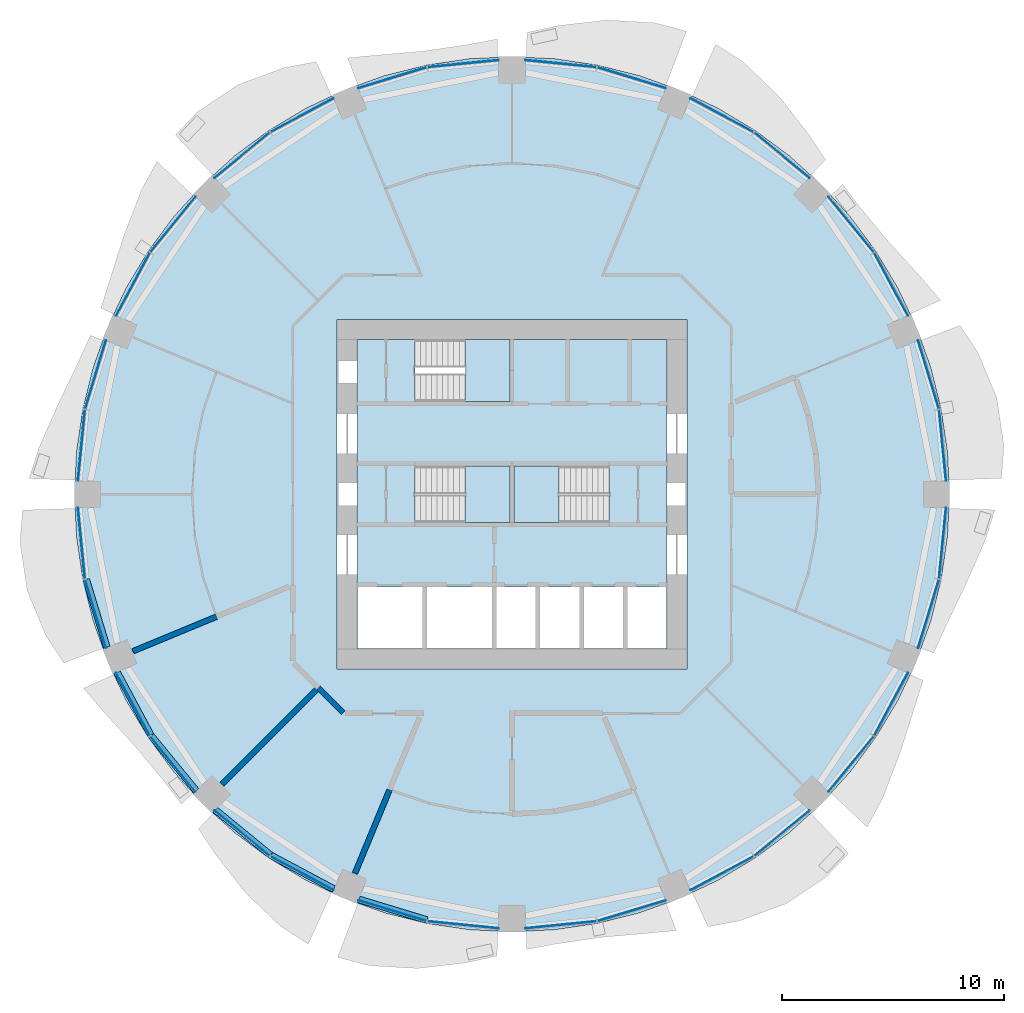
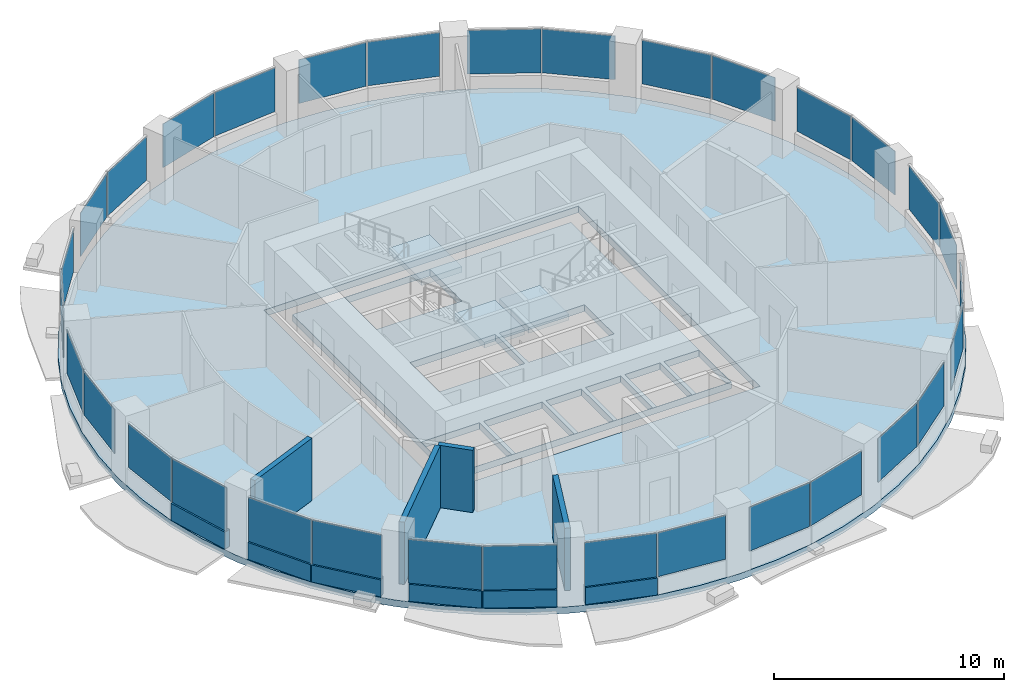
# One storey, part 7 of 15: 32 plates, 10 walls, 5 slabs, 19 elements without a shape of their own.
"""IFC4 building model written with IfcOpenShell, lengths in metres."""

from ifc_helpers import new_model, si_unit, direction, frame, frame_2d, origin, origin_2d, place, context, subcontext, project, spatial, polyline, rectangle, outline, extrude, material, layer, layer_set, type_object, element, aggregate, save


model = new_model("IFC4")

# Units and contexts
model_context = context("Model", 3, precision=1e-05, world=origin(), true_north=direction((0.0, 1.0)))
body_context = subcontext(model_context, "Body", "Model", "MODEL_VIEW")
ifc_project = project(units=[si_unit("LENGTHUNIT", "METRE"), si_unit("AREAUNIT", "SQUARE_METRE"), si_unit("VOLUMEUNIT", "CUBIC_METRE"), si_unit("PLANEANGLEUNIT", "RADIAN"), si_unit("MASSUNIT", "GRAM", prefix="KILO")], contexts=[model_context])

# Site, building, storey
site_placement = place(None, origin())
site = spatial("IfcSite", under=ifc_project, at=site_placement, CompositionType="ELEMENT")
building_placement = place(site_placement, origin())
building = spatial("IfcBuilding", under=site, at=building_placement, Name="Polderwave Tower", CompositionType="ELEMENT")
storey_placement = place(building_placement, frame((0.0, 0.0, 40.800048828125)))
storey = spatial("IfcBuildingStorey", under=building, at=storey_placement, Name="L10", CompositionType="ELEMENT", Elevation=40.800048828125)

# Slab
ifc_material_1 = material(Name="Concrete C40/50", Category="concrete")
ifc_layer_1 = layer(ifc_material_1, 0.35009765625)
ifc_layer_set_1 = layer_set([ifc_layer_1], Name="Core floor slab 350")
slab_type_1 = type_object("IfcSlabType", Name="Core floor slab 350", PredefinedType="FLOOR", material=ifc_layer_set_1)
slab_1_placement = place(storey_placement, frame((0.0, 0.0, -0.35009765625)))
element("IfcSlab", 1, at=slab_1_placement, inside=storey, type_object=slab_type_1, Name="L10 core floor", PredefinedType="FLOOR", context=body_context, shape_type="SweptSolid", body=[
    extrude(outline(polyline([(-6.97412109375, -6.97412109375), (6.97412109375, -6.97412109375), (6.97412109375, 6.97412109375), (-6.97412109375, 6.97412109375), (-6.97412109375, -6.97412109375)]), holes=[polyline([(-6.9541015625, -6.9541015625), (-4.037109375, -6.9541015625), (-4.037109375, -4.174072265625), (-6.9541015625, -4.174072265625), (-6.9541015625, -6.9541015625)]), polyline([(-3.8369140625, -6.9541015625), (-0.89990234375, -6.9541015625), (-0.89990234375, -4.174072265625), (-3.8369140625, -4.174072265625), (-3.8369140625, -6.9541015625)]), polyline([(-0.699951171875, -6.9541015625), (1.068603515625, -6.9541015625), (1.068603515625, -4.174072265625), (-0.699951171875, -4.174072265625), (-0.699951171875, -6.9541015625)]), polyline([(1.2685546875, -6.9541015625), (3.037109375, -6.9541015625), (3.037109375, -4.174072265625), (1.2685546875, -4.174072265625), (1.2685546875, -6.9541015625)]), polyline([(3.237060546875, -6.9541015625), (5.005615234375, -6.9541015625), (5.005615234375, -4.174072265625), (3.237060546875, -4.174072265625), (3.237060546875, -6.9541015625)]), polyline([(5.20556640625, -6.9541015625), (6.9541015625, -6.9541015625), (6.9541015625, -4.174072265625), (5.20556640625, -4.174072265625), (5.20556640625, -6.9541015625)]), polyline([(-4.37353515625, -1.2744140625), (-0.1005859375, -1.2744140625), (-0.1005859375, 1.2744140625), (-4.37353515625, 1.2744140625), (-4.37353515625, -1.2744140625)]), polyline([(0.1005859375, -1.2744140625), (4.37353515625, -1.2744140625), (4.37353515625, 1.2744140625), (0.1005859375, 1.2744140625), (0.1005859375, -1.2744140625)]), polyline([(-4.37353515625, 4.174560546875), (-0.1005859375, 4.174560546875), (-0.1005859375, 6.9541015625), (-4.37353515625, 6.9541015625), (-4.37353515625, 4.174560546875)])]), origin(), (0.0, 0.0, 1.0), 0.35009765625),
])

# Curtain wall, plates
ifc_material_2 = material(Name="Aluminium 6063-T6 and glass", Category="aluminium")
curtain_wall_type = type_object("IfcCurtainWallType", Name="Growing floor ribbon glazing wall", PredefinedType="NOTDEFINED", material=ifc_material_2)
curtain_wall_1_placement = place(storey_placement, origin())
curtain_wall_1 = element("IfcCurtainWall", 2, at=curtain_wall_1_placement, inside=storey, type_object=curtain_wall_type, Name="CW2 L10 00", PredefinedType="NOTDEFINED")
ifc_material_3 = material(Name="Glass, low-e laminated double glazing", Category="glass")
ifc_layer_2 = layer(ifc_material_3, 0.028076171875)
ifc_layer_set_2 = layer_set([ifc_layer_2], Name="Growing floor ribbon glazing glass panel 28 mm")
plate_type = type_object("IfcPlateType", Name="Growing floor ribbon glazing glass panel 28 mm", PredefinedType="CURTAIN_PANEL", material=ifc_layer_set_2)
plate_1_placement = place(storey_placement, frame((19.3935546875, 2.197998046875, 0.89990234375), z_axis=(0.0, 0.0, 1.0), x_axis=(-0.098098775475, 0.995176682931, 0.0)))
plate_1 = element("IfcPlate", 3, at=plate_1_placement, type_object=plate_type, Name="CW2 panel 1", PredefinedType="CURTAIN_PANEL", context=body_context, shape_type="SweptSolid", body=[
    extrude(rectangle(XDim=3.211669921875, YDim=0.028076171875, at=origin_2d()), origin(), (0.0, 0.0, 1.0), 2.320068359375),
])
plate_2_placement = place(storey_placement, frame((18.758056640625, 5.390869140625, 0.89990234375), z_axis=(0.0, 0.0, 1.0), x_axis=(-0.290374865467, 0.956912972796, 0.0)))
plate_2 = element("IfcPlate", 4, at=plate_2_placement, type_object=plate_type, Name="CW2 panel 2", PredefinedType="CURTAIN_PANEL", context=body_context, shape_type="SweptSolid", body=[
    extrude(rectangle(XDim=3.210693359375, YDim=0.028076171875, at=origin_2d()), origin(), (0.0, 0.0, 1.0), 2.320068359375),
])
aggregate(curtain_wall_1, [plate_1, plate_2])

curtain_wall_2_placement = place(storey_placement, origin())
curtain_wall_2 = element("IfcCurtainWall", 5, at=curtain_wall_2_placement, inside=storey, type_object=curtain_wall_type, Name="CW2 L10 01", PredefinedType="NOTDEFINED")
plate_3_placement = place(storey_placement, frame((17.076171875, 9.452392578125, 0.89990234375), z_axis=(0.0, 0.0, 1.0), x_axis=(-0.471356716023, 0.881942654746, 0.0)))
plate_3 = element("IfcPlate", 6, at=plate_3_placement, type_object=plate_type, Name="CW2 panel 1", PredefinedType="CURTAIN_PANEL", context=body_context, shape_type="SweptSolid", body=[
    extrude(rectangle(XDim=3.211669921875, YDim=0.028076171875, at=origin_2d()), origin(), (0.0, 0.0, 1.0), 2.320068359375),
])
plate_4_placement = place(storey_placement, frame((15.267578125, 12.1591796875, 0.89990234375), z_axis=(0.0, 0.0, 1.0), x_axis=(-0.634429710719, 0.772980557425, 0.0)))
plate_4 = element("IfcPlate", 7, at=plate_4_placement, type_object=plate_type, Name="CW2 panel 2", PredefinedType="CURTAIN_PANEL", context=body_context, shape_type="SweptSolid", body=[
    extrude(rectangle(XDim=3.210693359375, YDim=0.028076171875, at=origin_2d()), origin(), (0.0, 0.0, 1.0), 2.320068359375),
])
aggregate(curtain_wall_2, [plate_3, plate_4])

curtain_wall_3_placement = place(storey_placement, origin())
curtain_wall_3 = element("IfcCurtainWall", 8, at=curtain_wall_3_placement, inside=storey, type_object=curtain_wall_type, Name="CW2 L10 02", PredefinedType="NOTDEFINED")
plate_5_placement = place(storey_placement, frame((12.1591796875, 15.267578125, 0.89990234375), z_axis=(0.0, 0.0, 1.0), x_axis=(-0.772980557425, 0.634429710719, 0.0)))
plate_5 = element("IfcPlate", 9, at=plate_5_placement, type_object=plate_type, Name="CW2 panel 1", PredefinedType="CURTAIN_PANEL", context=body_context, shape_type="SweptSolid", body=[
    extrude(rectangle(XDim=3.210693359375, YDim=0.028076171875, at=origin_2d()), origin(), (0.0, 0.0, 1.0), 2.320068359375),
])
plate_6_placement = place(storey_placement, frame((9.452392578125, 17.076171875, 0.89990234375), z_axis=(0.0, 0.0, 1.0), x_axis=(-0.881942654746, 0.471356716023, 0.0)))
plate_6 = element("IfcPlate", 10, at=plate_6_placement, type_object=plate_type, Name="CW2 panel 2", PredefinedType="CURTAIN_PANEL", context=body_context, shape_type="SweptSolid", body=[
    extrude(rectangle(XDim=3.211669921875, YDim=0.028076171875, at=origin_2d()), origin(), (0.0, 0.0, 1.0), 2.320068359375),
])
aggregate(curtain_wall_3, [plate_5, plate_6])

curtain_wall_4_placement = place(storey_placement, origin())
curtain_wall_4 = element("IfcCurtainWall", 11, at=curtain_wall_4_placement, inside=storey, type_object=curtain_wall_type, Name="CW2 L10 03", PredefinedType="NOTDEFINED")
plate_7_placement = place(storey_placement, frame((5.390869140625, 18.758056640625, 0.89990234375), z_axis=(0.0, 0.0, 1.0), x_axis=(-0.956912972796, 0.290374865467, 0.0)))
plate_7 = element("IfcPlate", 12, at=plate_7_placement, type_object=plate_type, Name="CW2 panel 1", PredefinedType="CURTAIN_PANEL", context=body_context, shape_type="SweptSolid", body=[
    extrude(rectangle(XDim=3.210693359375, YDim=0.028076171875, at=origin_2d()), origin(), (0.0, 0.0, 1.0), 2.320068359375),
])
plate_8_placement = place(storey_placement, frame((2.197998046875, 19.3935546875, 0.89990234375), z_axis=(0.0, 0.0, 1.0), x_axis=(-0.995176682931, 0.098098775475, 0.0)))
plate_8 = element("IfcPlate", 13, at=plate_8_placement, type_object=plate_type, Name="CW2 panel 2", PredefinedType="CURTAIN_PANEL", context=body_context, shape_type="SweptSolid", body=[
    extrude(rectangle(XDim=3.211669921875, YDim=0.028076171875, at=origin_2d()), origin(), (0.0, 0.0, 1.0), 2.320068359375),
])
aggregate(curtain_wall_4, [plate_7, plate_8])

curtain_wall_5_placement = place(storey_placement, origin())
curtain_wall_5 = element("IfcCurtainWall", 14, at=curtain_wall_5_placement, inside=storey, type_object=curtain_wall_type, Name="CW2 L10 04", PredefinedType="NOTDEFINED")
plate_9_placement = place(storey_placement, frame((-2.197998046875, 19.3935546875, 0.89990234375), z_axis=(0.0, 0.0, 1.0), x_axis=(-0.995176682931, -0.098098775475, 0.0)))
plate_9 = element("IfcPlate", 15, at=plate_9_placement, type_object=plate_type, Name="CW2 panel 1", PredefinedType="CURTAIN_PANEL", context=body_context, shape_type="SweptSolid", body=[
    extrude(rectangle(XDim=3.211669921875, YDim=0.028076171875, at=origin_2d()), origin(), (0.0, 0.0, 1.0), 2.320068359375),
])
plate_10_placement = place(storey_placement, frame((-5.390869140625, 18.758056640625, 0.89990234375), z_axis=(0.0, 0.0, 1.0), x_axis=(-0.956912972796, -0.290374865467, 0.0)))
plate_10 = element("IfcPlate", 16, at=plate_10_placement, type_object=plate_type, Name="CW2 panel 2", PredefinedType="CURTAIN_PANEL", context=body_context, shape_type="SweptSolid", body=[
    extrude(rectangle(XDim=3.210693359375, YDim=0.028076171875, at=origin_2d()), origin(), (0.0, 0.0, 1.0), 2.320068359375),
])
aggregate(curtain_wall_5, [plate_9, plate_10])

curtain_wall_6_placement = place(storey_placement, origin())
curtain_wall_6 = element("IfcCurtainWall", 17, at=curtain_wall_6_placement, inside=storey, type_object=curtain_wall_type, Name="CW2 L10 05", PredefinedType="NOTDEFINED")
plate_11_placement = place(storey_placement, frame((-9.452392578125, 17.076171875, 0.89990234375), z_axis=(0.0, 0.0, 1.0), x_axis=(-0.881942654746, -0.471356716023, 0.0)))
plate_11 = element("IfcPlate", 18, at=plate_11_placement, type_object=plate_type, Name="CW2 panel 1", PredefinedType="CURTAIN_PANEL", context=body_context, shape_type="SweptSolid", body=[
    extrude(rectangle(XDim=3.211669921875, YDim=0.028076171875, at=origin_2d()), origin(), (0.0, 0.0, 1.0), 2.320068359375),
])
plate_12_placement = place(storey_placement, frame((-12.1591796875, 15.267578125, 0.89990234375), z_axis=(0.0, 0.0, 1.0), x_axis=(-0.772980557425, -0.634429710719, 0.0)))
plate_12 = element("IfcPlate", 19, at=plate_12_placement, type_object=plate_type, Name="CW2 panel 2", PredefinedType="CURTAIN_PANEL", context=body_context, shape_type="SweptSolid", body=[
    extrude(rectangle(XDim=3.210693359375, YDim=0.028076171875, at=origin_2d()), origin(), (0.0, 0.0, 1.0), 2.320068359375),
])
aggregate(curtain_wall_6, [plate_11, plate_12])

curtain_wall_7_placement = place(storey_placement, origin())
curtain_wall_7 = element("IfcCurtainWall", 20, at=curtain_wall_7_placement, inside=storey, type_object=curtain_wall_type, Name="CW2 L10 06", PredefinedType="NOTDEFINED")
plate_13_placement = place(storey_placement, frame((-15.267578125, 12.1591796875, 0.89990234375), z_axis=(0.0, 0.0, 1.0), x_axis=(-0.634429710719, -0.772980557425, 0.0)))
plate_13 = element("IfcPlate", 21, at=plate_13_placement, type_object=plate_type, Name="CW2 panel 1", PredefinedType="CURTAIN_PANEL", context=body_context, shape_type="SweptSolid", body=[
    extrude(rectangle(XDim=3.210693359375, YDim=0.028076171875, at=origin_2d()), origin(), (0.0, 0.0, 1.0), 2.320068359375),
])
plate_14_placement = place(storey_placement, frame((-17.076171875, 9.452392578125, 0.89990234375), z_axis=(0.0, 0.0, 1.0), x_axis=(-0.471356716023, -0.881942654746, 0.0)))
plate_14 = element("IfcPlate", 22, at=plate_14_placement, type_object=plate_type, Name="CW2 panel 2", PredefinedType="CURTAIN_PANEL", context=body_context, shape_type="SweptSolid", body=[
    extrude(rectangle(XDim=3.211669921875, YDim=0.028076171875, at=origin_2d()), origin(), (0.0, 0.0, 1.0), 2.320068359375),
])
aggregate(curtain_wall_7, [plate_13, plate_14])

curtain_wall_8_placement = place(storey_placement, origin())
curtain_wall_8 = element("IfcCurtainWall", 23, at=curtain_wall_8_placement, inside=storey, type_object=curtain_wall_type, Name="CW2 L10 07", PredefinedType="NOTDEFINED")
plate_15_placement = place(storey_placement, frame((-18.758056640625, 5.390869140625, 0.89990234375), z_axis=(0.0, 0.0, 1.0), x_axis=(-0.290374865467, -0.956912972796, 0.0)))
plate_15 = element("IfcPlate", 24, at=plate_15_placement, type_object=plate_type, Name="CW2 panel 1", PredefinedType="CURTAIN_PANEL", context=body_context, shape_type="SweptSolid", body=[
    extrude(rectangle(XDim=3.210693359375, YDim=0.028076171875, at=origin_2d()), origin(), (0.0, 0.0, 1.0), 2.320068359375),
])
plate_16_placement = place(storey_placement, frame((-19.3935546875, 2.197998046875, 0.89990234375), z_axis=(0.0, 0.0, 1.0), x_axis=(-0.098098775475, -0.995176682931, 0.0)))
plate_16 = element("IfcPlate", 25, at=plate_16_placement, type_object=plate_type, Name="CW2 panel 2", PredefinedType="CURTAIN_PANEL", context=body_context, shape_type="SweptSolid", body=[
    extrude(rectangle(XDim=3.211669921875, YDim=0.028076171875, at=origin_2d()), origin(), (0.0, 0.0, 1.0), 2.320068359375),
])
aggregate(curtain_wall_8, [plate_15, plate_16])

curtain_wall_9_placement = place(storey_placement, origin())
curtain_wall_9 = element("IfcCurtainWall", 26, at=curtain_wall_9_placement, inside=storey, type_object=curtain_wall_type, Name="CW2 L10 08", PredefinedType="NOTDEFINED")
plate_17_placement = place(storey_placement, frame((-19.3935546875, -2.197998046875, 0.89990234375), z_axis=(0.0, 0.0, 1.0), x_axis=(0.098098775475, -0.995176682931, 0.0)))
plate_17 = element("IfcPlate", 27, at=plate_17_placement, type_object=plate_type, Name="CW2 panel 1", PredefinedType="CURTAIN_PANEL", context=body_context, shape_type="SweptSolid", body=[
    extrude(rectangle(XDim=3.211669921875, YDim=0.028076171875, at=origin_2d()), origin(), (0.0, 0.0, 1.0), 2.320068359375),
])
plate_18_placement = place(storey_placement, frame((-18.758056640625, -5.390869140625, 0.89990234375), z_axis=(0.0, 0.0, 1.0), x_axis=(0.290374865467, -0.956912972796, 0.0)))
plate_18 = element("IfcPlate", 28, at=plate_18_placement, type_object=plate_type, Name="CW2 panel 2", PredefinedType="CURTAIN_PANEL", context=body_context, shape_type="SweptSolid", body=[
    extrude(rectangle(XDim=3.210693359375, YDim=0.028076171875, at=origin_2d()), origin(), (0.0, 0.0, 1.0), 2.320068359375),
])
aggregate(curtain_wall_9, [plate_17, plate_18])

curtain_wall_10_placement = place(storey_placement, origin())
curtain_wall_10 = element("IfcCurtainWall", 29, at=curtain_wall_10_placement, inside=storey, type_object=curtain_wall_type, Name="CW2 L10 09", PredefinedType="NOTDEFINED")
plate_19_placement = place(storey_placement, frame((-17.076171875, -9.452392578125, 0.89990234375), z_axis=(0.0, 0.0, 1.0), x_axis=(0.471356716023, -0.881942654746, 0.0)))
plate_19 = element("IfcPlate", 30, at=plate_19_placement, type_object=plate_type, Name="CW2 panel 1", PredefinedType="CURTAIN_PANEL", context=body_context, shape_type="SweptSolid", body=[
    extrude(rectangle(XDim=3.211669921875, YDim=0.028076171875, at=origin_2d()), origin(), (0.0, 0.0, 1.0), 2.320068359375),
])
plate_20_placement = place(storey_placement, frame((-15.267578125, -12.1591796875, 0.89990234375), z_axis=(0.0, 0.0, 1.0), x_axis=(0.634429710719, -0.772980557425, 0.0)))
plate_20 = element("IfcPlate", 31, at=plate_20_placement, type_object=plate_type, Name="CW2 panel 2", PredefinedType="CURTAIN_PANEL", context=body_context, shape_type="SweptSolid", body=[
    extrude(rectangle(XDim=3.210693359375, YDim=0.028076171875, at=origin_2d()), origin(), (0.0, 0.0, 1.0), 2.320068359375),
])
aggregate(curtain_wall_10, [plate_19, plate_20])

curtain_wall_11_placement = place(storey_placement, origin())
curtain_wall_11 = element("IfcCurtainWall", 32, at=curtain_wall_11_placement, inside=storey, type_object=curtain_wall_type, Name="CW2 L10 10", PredefinedType="NOTDEFINED")
plate_21_placement = place(storey_placement, frame((-12.1591796875, -15.267578125, 0.89990234375), z_axis=(0.0, 0.0, 1.0), x_axis=(0.772980557425, -0.634429710719, 0.0)))
plate_21 = element("IfcPlate", 33, at=plate_21_placement, type_object=plate_type, Name="CW2 panel 1", PredefinedType="CURTAIN_PANEL", context=body_context, shape_type="SweptSolid", body=[
    extrude(rectangle(XDim=3.210693359375, YDim=0.028076171875, at=origin_2d()), origin(), (0.0, 0.0, 1.0), 2.320068359375),
])
plate_22_placement = place(storey_placement, frame((-9.452392578125, -17.076171875, 0.89990234375), z_axis=(0.0, 0.0, 1.0), x_axis=(0.881942654746, -0.471356716023, 0.0)))
plate_22 = element("IfcPlate", 34, at=plate_22_placement, type_object=plate_type, Name="CW2 panel 2", PredefinedType="CURTAIN_PANEL", context=body_context, shape_type="SweptSolid", body=[
    extrude(rectangle(XDim=3.211669921875, YDim=0.028076171875, at=origin_2d()), origin(), (0.0, 0.0, 1.0), 2.320068359375),
])
aggregate(curtain_wall_11, [plate_21, plate_22])

curtain_wall_12_placement = place(storey_placement, origin())
curtain_wall_12 = element("IfcCurtainWall", 35, at=curtain_wall_12_placement, inside=storey, type_object=curtain_wall_type, Name="CW2 L10 11", PredefinedType="NOTDEFINED")
plate_23_placement = place(storey_placement, frame((-5.390869140625, -18.758056640625, 0.89990234375), z_axis=(0.0, 0.0, 1.0), x_axis=(0.956912972796, -0.290374865467, 0.0)))
plate_23 = element("IfcPlate", 36, at=plate_23_placement, type_object=plate_type, Name="CW2 panel 1", PredefinedType="CURTAIN_PANEL", context=body_context, shape_type="SweptSolid", body=[
    extrude(rectangle(XDim=3.210693359375, YDim=0.028076171875, at=origin_2d()), origin(), (0.0, 0.0, 1.0), 2.320068359375),
])
plate_24_placement = place(storey_placement, frame((-2.197998046875, -19.3935546875, 0.89990234375), z_axis=(0.0, 0.0, 1.0), x_axis=(0.995176682931, -0.098098775475, 0.0)))
plate_24 = element("IfcPlate", 37, at=plate_24_placement, type_object=plate_type, Name="CW2 panel 2", PredefinedType="CURTAIN_PANEL", context=body_context, shape_type="SweptSolid", body=[
    extrude(rectangle(XDim=3.211669921875, YDim=0.028076171875, at=origin_2d()), origin(), (0.0, 0.0, 1.0), 2.320068359375),
])
aggregate(curtain_wall_12, [plate_23, plate_24])

curtain_wall_13_placement = place(storey_placement, origin())
curtain_wall_13 = element("IfcCurtainWall", 38, at=curtain_wall_13_placement, inside=storey, type_object=curtain_wall_type, Name="CW2 L10 12", PredefinedType="NOTDEFINED")
plate_25_placement = place(storey_placement, frame((2.197998046875, -19.3935546875, 0.89990234375), z_axis=(0.0, 0.0, 1.0), x_axis=(0.995176682931, 0.098098775475, 0.0)))
plate_25 = element("IfcPlate", 39, at=plate_25_placement, type_object=plate_type, Name="CW2 panel 1", PredefinedType="CURTAIN_PANEL", context=body_context, shape_type="SweptSolid", body=[
    extrude(rectangle(XDim=3.211669921875, YDim=0.028076171875, at=origin_2d()), origin(), (0.0, 0.0, 1.0), 2.320068359375),
])
plate_26_placement = place(storey_placement, frame((5.390869140625, -18.758056640625, 0.89990234375), z_axis=(0.0, 0.0, 1.0), x_axis=(0.956912972796, 0.290374865467, 0.0)))
plate_26 = element("IfcPlate", 40, at=plate_26_placement, type_object=plate_type, Name="CW2 panel 2", PredefinedType="CURTAIN_PANEL", context=body_context, shape_type="SweptSolid", body=[
    extrude(rectangle(XDim=3.210693359375, YDim=0.028076171875, at=origin_2d()), origin(), (0.0, 0.0, 1.0), 2.320068359375),
])
aggregate(curtain_wall_13, [plate_25, plate_26])

curtain_wall_14_placement = place(storey_placement, origin())
curtain_wall_14 = element("IfcCurtainWall", 41, at=curtain_wall_14_placement, inside=storey, type_object=curtain_wall_type, Name="CW2 L10 13", PredefinedType="NOTDEFINED")
plate_27_placement = place(storey_placement, frame((9.452392578125, -17.076171875, 0.89990234375), z_axis=(0.0, 0.0, 1.0), x_axis=(0.881942654746, 0.471356716023, 0.0)))
plate_27 = element("IfcPlate", 42, at=plate_27_placement, type_object=plate_type, Name="CW2 panel 1", PredefinedType="CURTAIN_PANEL", context=body_context, shape_type="SweptSolid", body=[
    extrude(rectangle(XDim=3.211669921875, YDim=0.028076171875, at=origin_2d()), origin(), (0.0, 0.0, 1.0), 2.320068359375),
])
plate_28_placement = place(storey_placement, frame((12.1591796875, -15.267578125, 0.89990234375), z_axis=(0.0, 0.0, 1.0), x_axis=(0.772980557425, 0.634429710719, 0.0)))
plate_28 = element("IfcPlate", 43, at=plate_28_placement, type_object=plate_type, Name="CW2 panel 2", PredefinedType="CURTAIN_PANEL", context=body_context, shape_type="SweptSolid", body=[
    extrude(rectangle(XDim=3.210693359375, YDim=0.028076171875, at=origin_2d()), origin(), (0.0, 0.0, 1.0), 2.320068359375),
])
aggregate(curtain_wall_14, [plate_27, plate_28])

curtain_wall_15_placement = place(storey_placement, origin())
curtain_wall_15 = element("IfcCurtainWall", 44, at=curtain_wall_15_placement, inside=storey, type_object=curtain_wall_type, Name="CW2 L10 14", PredefinedType="NOTDEFINED")
plate_29_placement = place(storey_placement, frame((15.267578125, -12.1591796875, 0.89990234375), z_axis=(0.0, 0.0, 1.0), x_axis=(0.634429710719, 0.772980557425, 0.0)))
plate_29 = element("IfcPlate", 45, at=plate_29_placement, type_object=plate_type, Name="CW2 panel 1", PredefinedType="CURTAIN_PANEL", context=body_context, shape_type="SweptSolid", body=[
    extrude(rectangle(XDim=3.210693359375, YDim=0.028076171875, at=origin_2d()), origin(), (0.0, 0.0, 1.0), 2.320068359375),
])
plate_30_placement = place(storey_placement, frame((17.076171875, -9.452392578125, 0.89990234375), z_axis=(0.0, 0.0, 1.0), x_axis=(0.471356716023, 0.881942654746, 0.0)))
plate_30 = element("IfcPlate", 46, at=plate_30_placement, type_object=plate_type, Name="CW2 panel 2", PredefinedType="CURTAIN_PANEL", context=body_context, shape_type="SweptSolid", body=[
    extrude(rectangle(XDim=3.211669921875, YDim=0.028076171875, at=origin_2d()), origin(), (0.0, 0.0, 1.0), 2.320068359375),
])
aggregate(curtain_wall_15, [plate_29, plate_30])

curtain_wall_16_placement = place(storey_placement, origin())
curtain_wall_16 = element("IfcCurtainWall", 47, at=curtain_wall_16_placement, inside=storey, type_object=curtain_wall_type, Name="CW2 L10 15", PredefinedType="NOTDEFINED")
plate_31_placement = place(storey_placement, frame((18.758056640625, -5.390869140625, 0.89990234375), z_axis=(0.0, 0.0, 1.0), x_axis=(0.290374865467, 0.956912972796, 0.0)))
plate_31 = element("IfcPlate", 48, at=plate_31_placement, type_object=plate_type, Name="CW2 panel 1", PredefinedType="CURTAIN_PANEL", context=body_context, shape_type="SweptSolid", body=[
    extrude(rectangle(XDim=3.210693359375, YDim=0.028076171875, at=origin_2d()), origin(), (0.0, 0.0, 1.0), 2.320068359375),
])
plate_32_placement = place(storey_placement, frame((19.3935546875, -2.197998046875, 0.89990234375), z_axis=(0.0, 0.0, 1.0), x_axis=(0.098098775475, 0.995176682931, 0.0)))
plate_32 = element("IfcPlate", 49, at=plate_32_placement, type_object=plate_type, Name="CW2 panel 2", PredefinedType="CURTAIN_PANEL", context=body_context, shape_type="SweptSolid", body=[
    extrude(rectangle(XDim=3.211669921875, YDim=0.028076171875, at=origin_2d()), origin(), (0.0, 0.0, 1.0), 2.320068359375),
])
aggregate(curtain_wall_16, [plate_31, plate_32])

# Slab
ifc_layer_3 = layer(ifc_material_1, 0.35009765625)
ifc_layer_set_3 = layer_set([ifc_layer_3], Name="PT FLOOR SLAB 350 C40/50")
slab_type_2 = type_object("IfcSlabType", Name="PT FLOOR SLAB 350 C40/50", PredefinedType="FLOOR", material=ifc_layer_set_3)
slab_2_placement = place(storey_placement, frame((0.0, 0.0, -0.35009765625)))
element("IfcSlab", 50, at=slab_2_placement, inside=storey, type_object=slab_type_2, Name="ST-SLAB-L10", PredefinedType="FLOOR", context=body_context, shape_type="SweptSolid", body=[
    extrude(outline(polyline([(19.7099609375, 0.0), (19.614990234375, 1.931884765625), (19.331298828125, 3.84521484375), (18.861328125, 5.721435546875), (18.209716796875, 7.542724609375), (17.3828125, 9.291259765625), (16.38818359375, 10.9501953125), (15.236083984375, 12.50390625), (13.93701171875, 13.93701171875), (12.50390625, 15.236083984375), (10.9501953125, 16.38818359375), (9.291259765625, 17.3828125), (7.542724609375, 18.209716796875), (5.721435546875, 18.861328125), (3.84521484375, 19.331298828125), (1.931884765625, 19.614990234375), (0.0, 19.7099609375), (-1.931884765625, 19.614990234375), (-3.84521484375, 19.331298828125), (-5.721435546875, 18.861328125), (-7.542724609375, 18.209716796875), (-9.291259765625, 17.3828125), (-10.9501953125, 16.38818359375), (-12.50390625, 15.236083984375), (-13.93701171875, 13.93701171875), (-15.236083984375, 12.50390625), (-16.38818359375, 10.9501953125), (-17.3828125, 9.291259765625), (-18.209716796875, 7.542724609375), (-18.861328125, 5.721435546875), (-19.331298828125, 3.84521484375), (-19.614990234375, 1.931884765625), (-19.7099609375, 0.0), (-19.614990234375, -1.931884765625), (-19.331298828125, -3.84521484375), (-18.861328125, -5.721435546875), (-18.209716796875, -7.542724609375), (-17.3828125, -9.291259765625), (-16.38818359375, -10.9501953125), (-15.236083984375, -12.50390625), (-13.93701171875, -13.93701171875), (-12.50390625, -15.236083984375), (-10.9501953125, -16.38818359375), (-9.291259765625, -17.3828125), (-7.542724609375, -18.209716796875), (-5.721435546875, -18.861328125), (-3.84521484375, -19.331298828125), (-1.931884765625, -19.614990234375), (0.0, -19.7099609375), (1.931884765625, -19.614990234375), (3.84521484375, -19.331298828125), (5.721435546875, -18.861328125), (7.542724609375, -18.209716796875), (9.291259765625, -17.3828125), (10.9501953125, -16.38818359375), (12.50390625, -15.236083984375), (13.93701171875, -13.93701171875), (15.236083984375, -12.50390625), (16.38818359375, -10.9501953125), (17.3828125, -9.291259765625), (18.209716796875, -7.542724609375), (18.861328125, -5.721435546875), (19.331298828125, -3.84521484375), (19.614990234375, -1.931884765625), (19.7099609375, 0.0)]), holes=[polyline([(-7.8740234375, -7.8740234375), (7.8740234375, -7.8740234375), (7.8740234375, 7.8740234375), (-7.8740234375, 7.8740234375), (-7.8740234375, -7.8740234375)])]), origin(), (0.0, 0.0, 1.0), 0.35009765625),
])

# Stair, slab
stair_type = type_object("IfcStairType", Name="Exit stair 1200 x 20 risers", PredefinedType="HALF_TURN_STAIR", material=ifc_material_1)
stair_1_placement = place(storey_placement, origin())
stair_1 = element("IfcStair", 51, at=stair_1_placement, inside=storey, type_object=stair_type, Name="L10 Exit stair A", PredefinedType="HALF_TURN_STAIR")
ifc_layer_4 = layer(ifc_material_1, 0.300048828125)
ifc_layer_set_4 = layer_set([ifc_layer_4], Name="Stair landing 300")
slab_type_3 = type_object("IfcSlabType", Name="Stair landing 300", PredefinedType="LANDING", material=ifc_layer_set_4)
slab_3_placement = place(storey_placement, frame((0.0, 0.0, 1.52490234375)))
slab_3 = element("IfcSlab", 52, at=slab_3_placement, type_object=slab_type_3, Name="ST-A landing 1", PredefinedType="LANDING", context=body_context, shape_type="SweptSolid", body=[
    extrude(outline(polyline([(-2.1240234375, -1.27490234375), (-0.10009765625, -1.27490234375), (-0.10009765625, 1.27490234375), (-2.1240234375, 1.27490234375), (-2.1240234375, -1.27490234375)])), origin(), (0.0, 0.0, 1.0), 0.300048828125),
])
aggregate(stair_1, [slab_3])

stair_2_placement = place(storey_placement, origin())
stair_2 = element("IfcStair", 53, at=stair_2_placement, inside=storey, type_object=stair_type, Name="L10 Exit stair B", PredefinedType="HALF_TURN_STAIR")
slab_4_placement = place(storey_placement, frame((0.0, 0.0, 1.52490234375)))
slab_4 = element("IfcSlab", 54, at=slab_4_placement, type_object=slab_type_3, Name="ST-B landing 1", PredefinedType="LANDING", context=body_context, shape_type="SweptSolid", body=[
    extrude(outline(polyline([(2.1240234375, 1.27490234375), (0.10009765625, 1.27490234375), (0.10009765625, -1.27490234375), (2.1240234375, -1.27490234375), (2.1240234375, 1.27490234375)])), origin(), (0.0, 0.0, 1.0), 0.300048828125),
])
aggregate(stair_2, [slab_4])

stair_3_placement = place(storey_placement, origin())
stair_3 = element("IfcStair", 55, at=stair_3_placement, inside=storey, type_object=stair_type, Name="L10 Exit stair C", PredefinedType="HALF_TURN_STAIR")
slab_5_placement = place(storey_placement, frame((0.0, 0.0, 1.52490234375)))
slab_5 = element("IfcSlab", 56, at=slab_5_placement, type_object=slab_type_3, Name="ST-C landing 1", PredefinedType="LANDING", context=body_context, shape_type="SweptSolid", body=[
    extrude(outline(polyline([(-2.1240234375, 4.174072265625), (-0.10009765625, 4.174072265625), (-0.10009765625, 6.97412109375), (-2.1240234375, 6.97412109375), (-2.1240234375, 4.174072265625)])), origin(), (0.0, 0.0, 1.0), 0.300048828125),
])
aggregate(stair_3, [slab_5])

# Walls
ifc_material_4 = material(Name="Concrete C50/60 (board-marked)", Category="concrete")
ifc_layer_5 = layer(ifc_material_4, 0.300048828125)
ifc_layer_set_5 = layer_set([ifc_layer_5], Name="Concrete spandrel upstand C50/60")
wall_type_1 = type_object("IfcWallType", Name="Concrete spandrel upstand C50/60", PredefinedType="SOLIDWALL", material=ifc_layer_set_5)
wall_1_placement = place(storey_placement, frame((-19.1796875, -3.830322265625, 0.0), z_axis=(0.0, 0.0, 1.0), x_axis=(0.290472877795, -0.956883225512, 0.0)))
element("IfcWall", 57, at=wall_1_placement, inside=storey, type_object=wall_type_1, Name="Spandrel L10 9b", PredefinedType="SOLIDWALL", context=body_context, shape_type="SweptSolid", body=[
    extrude(rectangle(XDim=3.202392578125, YDim=0.300048828125, at=frame_2d((1.60107421875, 0.0))), origin(), (0.0, 0.0, 1.0), 0.89990234375),
])
wall_2_placement = place(storey_placement, frame((-17.77978515625, -8.0283203125, 0.0), z_axis=(0.0, 0.0, 1.0), x_axis=(0.471284265614, -0.881981372243, 0.0)))
element("IfcWall", 58, at=wall_2_placement, inside=storey, type_object=wall_type_1, Name="Spandrel L10 10a", PredefinedType="SOLIDWALL", context=body_context, shape_type="SweptSolid", body=[
    extrude(rectangle(XDim=3.20361328125, YDim=0.300048828125, at=frame_2d((1.601806640625, 0.0))), origin(), (0.0, 0.0, 1.0), 0.89990234375),
])
for number, where, z_axis, x_axis, name in (
    (59, (-16.25341796875, -10.878662109375, 0.0), (0.0, 0.0, 1.0), (0.634233658611, -0.773141427091, 0.0), "Spandrel L10 10b"),
    (60, (-13.3544921875, -14.222412109375, 0.0), (0.0, 0.0, 1.0), (0.773141427091, -0.634233658611, 0.0), "Spandrel L10 11a"),
):
    element("IfcWall", number, at=place(storey_placement, frame(where, z_axis=z_axis, x_axis=x_axis)), inside=storey, type_object=wall_type_1, Name=name, PredefinedType="SOLIDWALL", context=body_context, shape_type="SweptSolid", body=[
        extrude(rectangle(XDim=3.202392578125, YDim=0.300048828125, at=frame_2d((1.60107421875, 0.0))), origin(), (0.0, 0.0, 1.0), 0.89990234375),
    ])
wall_3_placement = place(storey_placement, frame((-10.853759765625, -16.27001953125, 0.0), z_axis=(0.0, 0.0, 1.0), x_axis=(0.881981372243, -0.471284265614, 0.0)))
element("IfcWall", 61, at=wall_3_placement, inside=storey, type_object=wall_type_1, Name="Spandrel L10 11b", PredefinedType="SOLIDWALL", context=body_context, shape_type="SweptSolid", body=[
    extrude(rectangle(XDim=3.20361328125, YDim=0.300048828125, at=frame_2d((1.601806640625, 0.0))), origin(), (0.0, 0.0, 1.0), 0.89990234375),
])
wall_4_placement = place(storey_placement, frame((-6.89453125, -18.24951171875, 0.0), z_axis=(0.0, 0.0, 1.0), x_axis=(0.956883225512, -0.290472877795, 0.0)))
element("IfcWall", 62, at=wall_4_placement, inside=storey, type_object=wall_type_1, Name="Spandrel L10 12a", PredefinedType="SOLIDWALL", context=body_context, shape_type="SweptSolid", body=[
    extrude(rectangle(XDim=3.202392578125, YDim=0.300048828125, at=frame_2d((1.60107421875, 0.0))), origin(), (0.0, 0.0, 1.0), 0.89990234375),
])
ifc_material_5 = material(Name="Fire-resisting board on steel studs, mineral wool", Category="steel")
ifc_layer_6 = layer(ifc_material_5, 0.25)
ifc_layer_set_6 = layer_set([ifc_layer_6], Name="Plant room wall 250 mm EI 120")
wall_type_2 = type_object("IfcWallType", Name="Plant room wall 250 mm EI 120", PredefinedType="PARTITIONING", material=ifc_layer_set_6)
wall_5_placement = place(storey_placement, frame((-7.607666015625, -9.83740234375, 0.0), z_axis=(0.0, 0.0, 1.0), x_axis=(-0.707029353672, 0.707184200224, 0.0)))
element("IfcWall", 63, at=wall_5_placement, inside=storey, type_object=wall_type_2, Name="IN-L10-W016", PredefinedType="PARTITIONING", context=body_context, shape_type="SweptSolid", body=[
    extrude(rectangle(XDim=1.57666015625, YDim=0.25, at=frame_2d((0.788330078125, 0.0))), origin(), (0.0, 0.0, 1.0), 3.300048828125),
])
wall_6_placement = place(storey_placement, frame((-13.31298828125, -5.514404296875, 0.0), z_axis=(0.0, 0.0, 1.0), x_axis=(-0.923873536763, -0.382697907061, 0.0)))
element("IfcWall", 64, at=wall_6_placement, inside=storey, type_object=wall_type_2, Name="IN-L10-W053", PredefinedType="PARTITIONING", context=body_context, shape_type="SweptSolid", body=[
    extrude(rectangle(XDim=4.070068359375, YDim=0.25, at=frame_2d((2.03515625, 0.0))), origin(), (0.0, 0.0, 1.0), 3.300048828125),
])
wall_7_placement = place(storey_placement, frame((-13.0673828125, -13.0673828125, 0.0), z_axis=(0.0, 0.0, 1.0), x_axis=(0.707106781187, 0.707106781187, 0.0)))
element("IfcWall", 65, at=wall_7_placement, inside=storey, type_object=wall_type_2, Name="IN-L10-W054", PredefinedType="PARTITIONING", context=body_context, shape_type="SweptSolid", body=[
    extrude(rectangle(XDim=6.019775390625, YDim=0.25, at=frame_2d((3.009765625, 0.0))), origin(), (0.0, 0.0, 1.0), 3.300048828125),
])
wall_8_placement = place(storey_placement, frame((-5.514404296875, -13.31298828125, 0.0), z_axis=(0.0, 0.0, 1.0), x_axis=(-0.382697907061, -0.923873536763, 0.0)))
element("IfcWall", 66, at=wall_8_placement, inside=storey, type_object=wall_type_2, Name="IN-L10-W056", PredefinedType="PARTITIONING", context=body_context, shape_type="SweptSolid", body=[
    extrude(rectangle(XDim=4.070068359375, YDim=0.25, at=frame_2d((2.03515625, 0.0))), origin(), (0.0, 0.0, 1.0), 3.300048828125),
])

save(model, "model.ifc")
